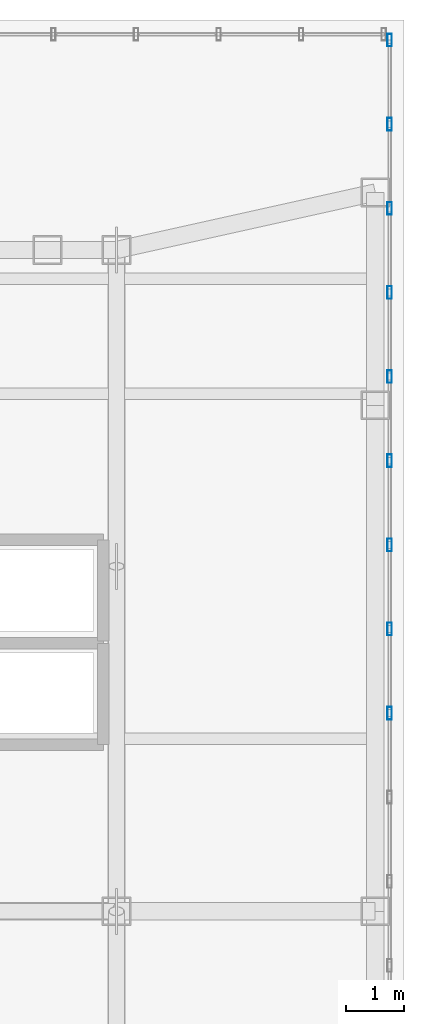
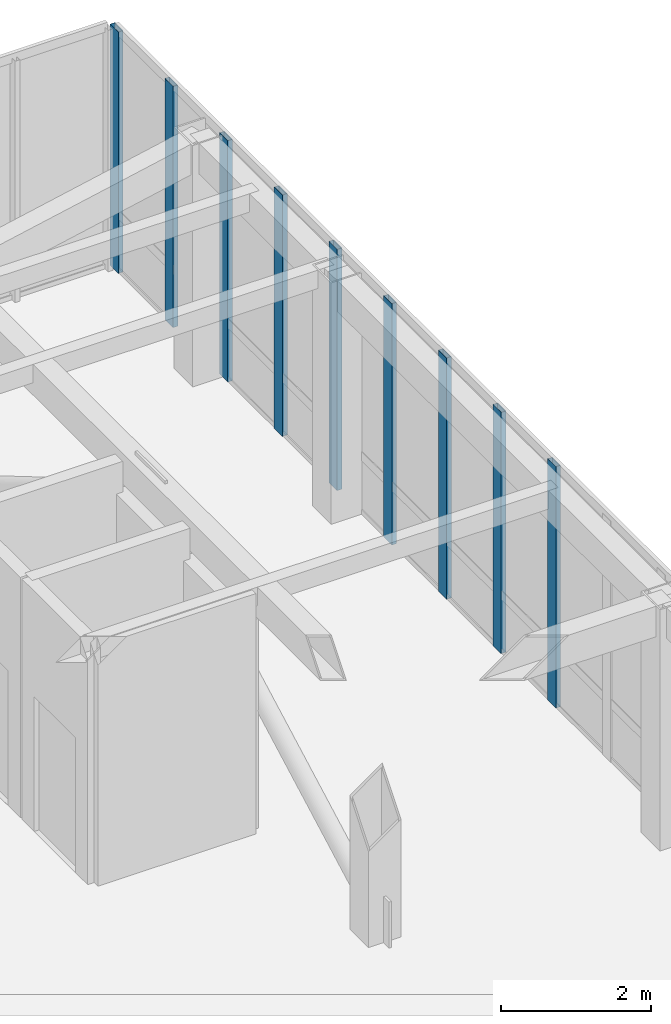
# One storey, part 10 of 13: 9 members, 1 element without a shape of its own.
"""IFC4 building model written with IfcOpenShell, lengths in metres."""

from ifc_helpers import new_model, si_unit, direction, frame, origin, origin_2d, place, context, subcontext, project, spatial, hollow_rectangle, extrude, source, transform, mapped, material, layer, layer_set, material_profile, profile_set, type_object, element, aggregate, save


model = new_model("IFC4")

# Units and contexts
model_context = context("Model", 3, precision=1e-05, world=origin(), true_north=direction((0.0, 1.0)))
body_context = subcontext(model_context, "Body", "Model", "MODEL_VIEW")
ifc_project = project(units=[si_unit("LENGTHUNIT", "METRE"), si_unit("AREAUNIT", "SQUARE_METRE"), si_unit("VOLUMEUNIT", "CUBIC_METRE"), si_unit("PLANEANGLEUNIT", "RADIAN"), si_unit("MASSUNIT", "GRAM", prefix="KILO")], contexts=[model_context])

# Site, building, storey
site_placement = place(None, origin())
site = spatial("IfcSite", under=ifc_project, at=site_placement, CompositionType="ELEMENT")
building_placement = place(site_placement, origin())
building = spatial("IfcBuilding", under=site, at=building_placement, Name="Kharzan Plaza Tower", CompositionType="ELEMENT")
storey_placement = place(building_placement, frame((0.0, 0.0, 298.199951171875)))
storey = spatial("IfcBuildingStorey", under=building, at=storey_placement, Name="L80-CROWN", CompositionType="ELEMENT", Elevation=298.199951171875)

# Curtain wall, members
ifc_material_1 = material(Name="Unitised Bronze-Anodized Aluminium and Low-E Glass", Category="aluminium")
ifc_layer = layer(ifc_material_1, 0.199951171875)
ifc_layer_set = layer_set([ifc_layer], Name="Unitised Bronze-Anodized Aluminium and Low-E Glass")
curtain_wall_type = type_object("IfcCurtainWallType", Name="CW-LANTERN-6", PredefinedType="NOTDEFINED", material=ifc_layer_set)
curtain_wall_placement = place(storey_placement, origin())
curtain_wall = element("IfcCurtainWall", 1, at=curtain_wall_placement, inside=storey, type_object=curtain_wall_type, Name="L80-CROWN Lantern Crown Illuminated Curtain Wall 2", PredefinedType="NOTDEFINED")
ifc_material_2 = material(Name="Anodized Bronze Aluminium", Category="aluminium")
ifc_material_profile = material_profile(ifc_material_2, hollow_rectangle(XDim=0.074951171875, YDim=0.219970703125, WallThickness=0.00390625, at=origin_2d()), Name="ALU-M220x75x4")
ifc_profile_set = profile_set([ifc_material_profile], Name="Anodized Bronze Aluminium")
member_type = type_object("IfcMemberType", Name="MEM-CW-MUL200", PredefinedType="MULLION", material=ifc_profile_set)
shared_shape = source(origin(), body_context, "Body", "SweptSolid", [
    extrude(hollow_rectangle(XDim=0.074951171875, YDim=0.219970703125, WallThickness=0.00390625, at=origin_2d()), origin(), (0.0, 0.0, 1.0), 3.93994140625),
])
member_1_placement = place(storey_placement, frame((19.25, 21.444580078125, 0.0), z_axis=(0.0, 0.0, 1.0), x_axis=(1.0, 0.0, 0.0)))
member_1 = element("IfcMember", 2, at=member_1_placement, type_object=member_type, Name="L80-CROWN Curtain-Wall Mullion 11", PredefinedType="MULLION", context=body_context, shape_type="MappedRepresentation", body=[
    mapped(shared_shape, transform((0.0, 0.0, 0.0), x_axis=(1.0, 0.0, 0.0), y_axis=(0.0, 1.0, 0.0), z_axis=(0.0, 0.0, 1.0))),
])
member_2_placement = place(storey_placement, frame((19.25, 22.907958984375, 0.0), z_axis=(0.0, 0.0, 1.0), x_axis=(1.0, 0.0, 0.0)))
member_2 = element("IfcMember", 3, at=member_2_placement, type_object=member_type, Name="L80-CROWN Curtain-Wall Mullion 12", PredefinedType="MULLION", context=body_context, shape_type="MappedRepresentation", body=[
    mapped(shared_shape, transform((0.0, 0.0, 0.0), x_axis=(1.0, 0.0, 0.0), y_axis=(0.0, 1.0, 0.0), z_axis=(0.0, 0.0, 1.0))),
])
member_3_placement = place(storey_placement, frame((19.25, 24.37109375, 0.0), z_axis=(0.0, 0.0, 1.0), x_axis=(1.0, 0.0, 0.0)))
member_3 = element("IfcMember", 4, at=member_3_placement, type_object=member_type, Name="L80-CROWN Curtain-Wall Mullion 13", PredefinedType="MULLION", context=body_context, shape_type="MappedRepresentation", body=[
    mapped(shared_shape, transform((0.0, 0.0, 0.0), x_axis=(1.0, 0.0, 0.0), y_axis=(0.0, 1.0, 0.0), z_axis=(0.0, 0.0, 1.0))),
])
member_4_placement = place(storey_placement, frame((19.25, 25.834228515625, 0.0), z_axis=(0.0, 0.0, 1.0), x_axis=(1.0, 0.0, 0.0)))
member_4 = element("IfcMember", 5, at=member_4_placement, type_object=member_type, Name="L80-CROWN Curtain-Wall Mullion 14", PredefinedType="MULLION", context=body_context, shape_type="MappedRepresentation", body=[
    mapped(shared_shape, transform((0.0, 0.0, 0.0), x_axis=(1.0, 0.0, 0.0), y_axis=(0.0, 1.0, 0.0), z_axis=(0.0, 0.0, 1.0))),
])
member_5_placement = place(storey_placement, frame((19.25, 27.29736328125, 0.0), z_axis=(0.0, 0.0, 1.0), x_axis=(1.0, 0.0, 0.0)))
member_5 = element("IfcMember", 6, at=member_5_placement, type_object=member_type, Name="L80-CROWN Curtain-Wall Mullion 15", PredefinedType="MULLION", context=body_context, shape_type="MappedRepresentation", body=[
    mapped(shared_shape, transform((0.0, 0.0, 0.0), x_axis=(1.0, 0.0, 0.0), y_axis=(0.0, 1.0, 0.0), z_axis=(0.0, 0.0, 1.0))),
])
member_6_placement = place(storey_placement, frame((19.25, 28.760498046875, 0.0), z_axis=(0.0, 0.0, 1.0), x_axis=(1.0, 0.0, 0.0)))
member_6 = element("IfcMember", 7, at=member_6_placement, type_object=member_type, Name="L80-CROWN Curtain-Wall Mullion 16", PredefinedType="MULLION", context=body_context, shape_type="MappedRepresentation", body=[
    mapped(shared_shape, transform((0.0, 0.0, 0.0), x_axis=(1.0, 0.0, 0.0), y_axis=(0.0, 1.0, 0.0), z_axis=(0.0, 0.0, 1.0))),
])
member_7_placement = place(storey_placement, frame((19.25, 30.2236328125, 0.0), z_axis=(0.0, 0.0, 1.0), x_axis=(1.0, 0.0, 0.0)))
member_7 = element("IfcMember", 8, at=member_7_placement, type_object=member_type, Name="L80-CROWN Curtain-Wall Mullion 17", PredefinedType="MULLION", context=body_context, shape_type="MappedRepresentation", body=[
    mapped(shared_shape, transform((0.0, 0.0, 0.0), x_axis=(1.0, 0.0, 0.0), y_axis=(0.0, 1.0, 0.0), z_axis=(0.0, 0.0, 1.0))),
])
member_8_placement = place(storey_placement, frame((19.25, 31.686767578125, 0.0), z_axis=(0.0, 0.0, 1.0), x_axis=(1.0, 0.0, 0.0)))
member_8 = element("IfcMember", 9, at=member_8_placement, type_object=member_type, Name="L80-CROWN Curtain-Wall Mullion 18", PredefinedType="MULLION", context=body_context, shape_type="MappedRepresentation", body=[
    mapped(shared_shape, transform((0.0, 0.0, 0.0), x_axis=(1.0, 0.0, 0.0), y_axis=(0.0, 1.0, 0.0), z_axis=(0.0, 0.0, 1.0))),
])
member_9_placement = place(storey_placement, frame((19.25, 33.14990234375, 0.0), z_axis=(0.0, 0.0, 1.0), x_axis=(1.0, 0.0, 0.0)))
member_9 = element("IfcMember", 10, at=member_9_placement, type_object=member_type, Name="L80-CROWN Curtain-Wall Mullion 19", PredefinedType="MULLION", context=body_context, shape_type="MappedRepresentation", body=[
    mapped(shared_shape, transform((0.0, 0.0, 0.0), x_axis=(1.0, 0.0, 0.0), y_axis=(0.0, 1.0, 0.0), z_axis=(0.0, 0.0, 1.0))),
])
aggregate(curtain_wall, [member_1, member_2, member_3, member_4, member_5, member_6, member_7, member_8, member_9])

save(model, "model.ifc")
